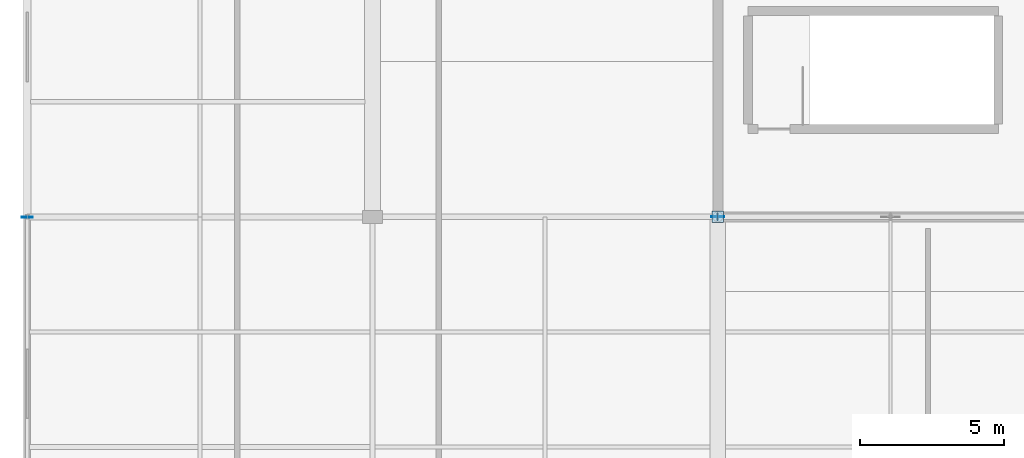
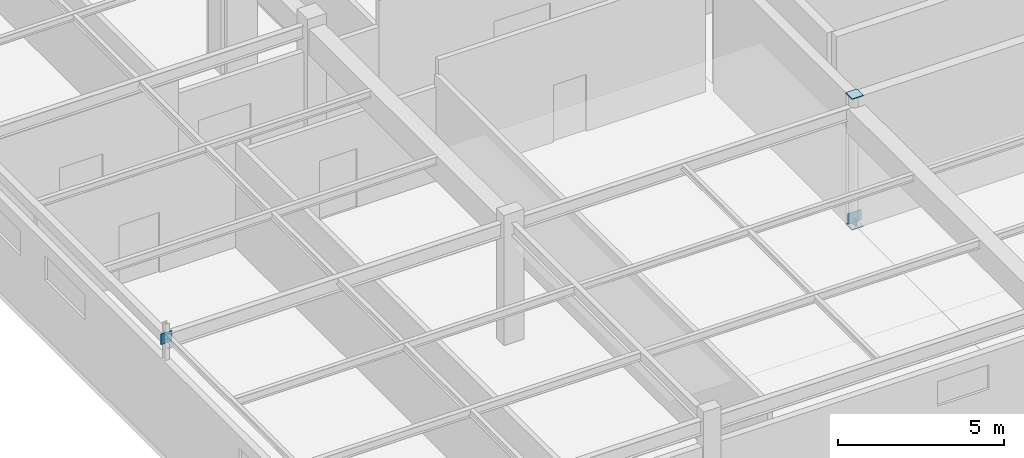
# One storey, part 135 of 186: 5 plates.
"""IFC4 building model written with IfcOpenShell, lengths in metres."""

from ifc_helpers import new_model, si_unit, direction, frame, origin, origin_2d, place, context, subcontext, project, spatial, rectangle, extrude, material, layer, layer_set, type_object, element, save


model = new_model("IFC4")

# Units and contexts
model_context = context("Model", 3, precision=1e-05, world=origin(), true_north=direction((0.0, 1.0)))
body_context = subcontext(model_context, "Body", "Model", "MODEL_VIEW")
ifc_project = project(units=[si_unit("LENGTHUNIT", "METRE"), si_unit("AREAUNIT", "SQUARE_METRE"), si_unit("VOLUMEUNIT", "CUBIC_METRE"), si_unit("PLANEANGLEUNIT", "RADIAN"), si_unit("MASSUNIT", "GRAM", prefix="KILO")], contexts=[model_context])

# Site, building, storey
site_placement = place(None, origin())
site = spatial("IfcSite", under=ifc_project, at=site_placement, CompositionType="ELEMENT")
building_placement = place(site_placement, origin())
building = spatial("IfcBuilding", under=site, at=building_placement, Name="Tarnwether General Hospital", CompositionType="ELEMENT")
storey_placement = place(building_placement, frame((0.0, 0.0, 9.60009765625)))
storey = spatial("IfcBuildingStorey", under=building, at=storey_placement, Name="L02", CompositionType="ELEMENT", Elevation=9.60009765625)

# Plates
ifc_material = material(Name="Steel Grade 350 (350 MPa)", Category="steel")
ifc_layer = layer(ifc_material, 0.02490234375)
ifc_layer_set = layer_set([ifc_layer], Name="Steel Grade 350 (350 MPa)")
plate_type = type_object("IfcPlateType", Name="PT-GUS2", PredefinedType="USERDEFINED", material=ifc_layer_set)
plate_1_placement = place(storey_placement, frame((24.0, 69.60009765625, 0.10986328125), z_axis=(0.0, 0.0, 1.0), x_axis=(1.0, 0.0, 0.0)))
element("IfcPlate", 1, at=plate_1_placement, inside=storey, type_object=plate_type, Name="Brace Base Gusset Plate 026", ObjectType="GUSSET", PredefinedType="USERDEFINED", context=body_context, shape_type="SweptSolid", body=[
    extrude(rectangle(XDim=0.4599609375, YDim=0.02490234375, at=origin_2d()), origin(), (0.0, 0.0, 1.0), 0.3798828125),
])
for number, where, z_axis, x_axis, name in (
    (2, (24.0, 69.60009765625, -0.025146484375), (0.0, 0.0, 1.0), (1.0, 0.0, 0.0), "Hollow Section Welded End Cap Plate 0045"),
    (3, (24.0, 69.60009765625, 4.800048828125), (0.0, 0.0, 1.0), (1.0, 0.0, 0.0), "Hollow Section Welded End Cap Plate 0046"),
):
    element("IfcPlate", number, at=place(storey_placement, frame(where, z_axis=z_axis, x_axis=x_axis)), inside=storey, type_object=plate_type, Name=name, ObjectType="GUSSET", PredefinedType="USERDEFINED", context=body_context, shape_type="SweptSolid", body=[
        extrude(rectangle(XDim=0.39599609375, YDim=0.39599609375, at=origin_2d()), origin(), (0.0, 0.0, 1.0), 0.02490234375),
    ])
plate_2_placement = place(storey_placement, frame((0.0, 69.58740234375, 4.06005859375), z_axis=(0.0, 0.0, 1.0), x_axis=(0.0, 1.0, 0.0)))
element("IfcPlate", 4, at=plate_2_placement, inside=storey, type_object=plate_type, Name="Hollow Section Welded End Cap Plate 0949", ObjectType="GUSSET", PredefinedType="USERDEFINED", context=body_context, shape_type="SweptSolid", body=[
    extrude(rectangle(XDim=0.02490234375, YDim=0.389892578125, at=origin_2d()), origin(), (0.0, 0.0, 1.0), 0.389892578125),
])
plate_3_placement = place(storey_placement, frame((23.989501953125, 69.60009765625, 0.0126953125), z_axis=(0.0, 0.0, 1.0), x_axis=(1.0, 0.0, 0.0)))
element("IfcPlate", 5, at=plate_3_placement, inside=storey, type_object=plate_type, Name="Hollow Section Welded End Cap Plate 1211", ObjectType="GUSSET", PredefinedType="USERDEFINED", context=body_context, shape_type="SweptSolid", body=[
    extrude(rectangle(XDim=0.02490234375, YDim=0.239990234375, at=origin_2d()), origin(), (0.0, 0.0, 1.0), 0.239990234375),
])

save(model, "model.ifc")
